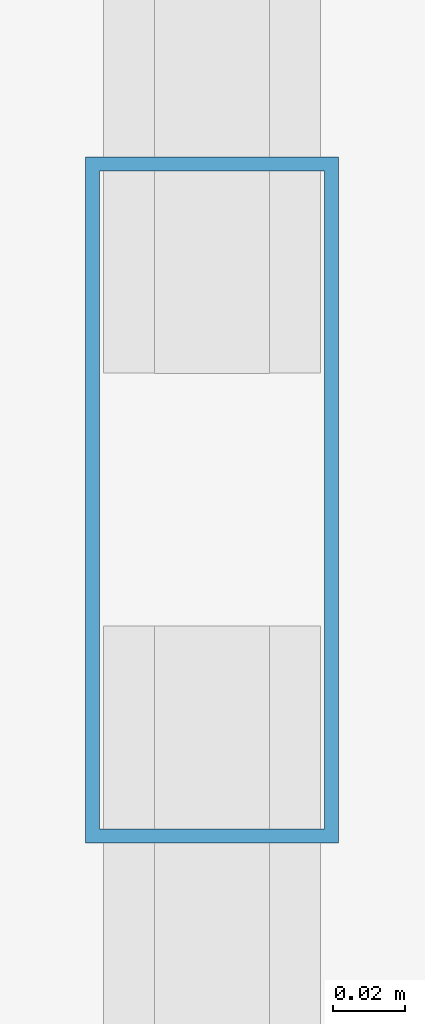
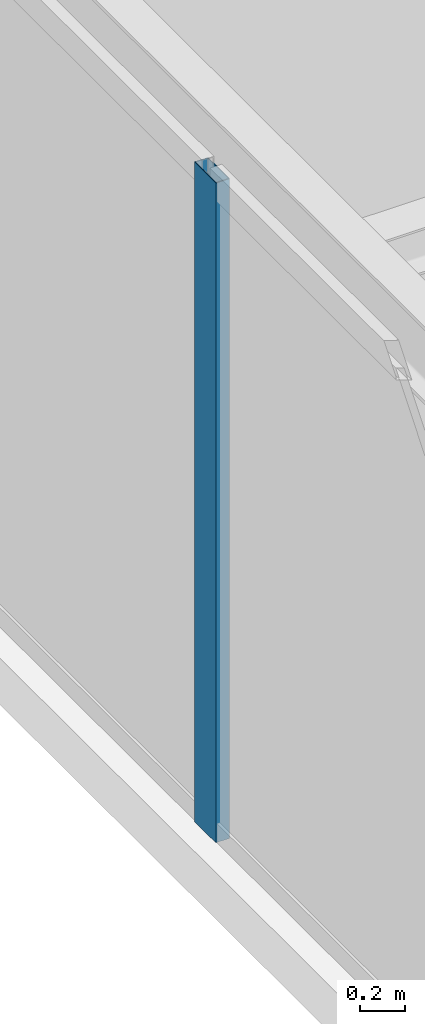
# One storey, part 10 of 37: 1 member, 1 element without a shape of its own.
"""IFC4 building model written with IfcOpenShell, lengths in metres."""

import ifcopenshell
import ifcopenshell.guid

model = None  # the IFC model being written
_history = None  # IfcOwnerHistory: only IFC2X3 demands one
_inside = {}  # id of a spatial element -> (the spatial element, [elements in it])
_under = {}  # id of a project, library or spatial element -> (it, [spatial elements below it])
_declared = {}  # id of a project -> (the project, [libraries it declares])
_typed = {}  # id of a type object -> (the type object, [elements of that type])
_made_of = {}  # id of a material, layer set ... -> (it, [elements and type objects made of it])


def new_model(schema):
    """Start an empty IFC model of exactly this schema.

    Asked for "IFC4X3", IfcOpenShell would pick the latest addendum, in which some entities
    have other attributes; the version numbers below select the first issue.
    IFC2X3 requires an IfcOwnerHistory on every rooted entity: one is made here for all.
    """
    global model, _history
    if schema == "IFC4X3":
        model = ifcopenshell.file(schema_version=(4, 3, 0, 0))
    else:
        model = ifcopenshell.file(schema=schema)
    _inside.clear()
    _under.clear()
    _declared.clear()
    _typed.clear()
    _made_of.clear()
    _history = None
    if model.schema == "IFC2X3":
        org = make("IfcOrganization", Name="unknown")
        user = make(
            "IfcPersonAndOrganization",
            ThePerson=make("IfcPerson", FamilyName="unknown"),
            TheOrganization=org,
        )
        app = make(
            "IfcApplication",
            ApplicationDeveloper=org,
            Version="unknown",
            ApplicationFullName="unknown",
            ApplicationIdentifier="unknown",
        )
        _history = make(
            "IfcOwnerHistory",
            OwningUser=user,
            OwningApplication=app,
            ChangeAction="ADDED",
            CreationDate=0,
        )
    return model


def make(cls, **values):
    """One entity of the class cls with the attributes given. An attribute that is None is left unset."""
    return model.create_entity(
        cls, **{name: value for name, value in values.items() if value is not None}
    )


def rooted(cls, **values):
    """An entity with a GlobalId (a new one), such as an element, a storey or a relation."""
    return make(cls, GlobalId=ifcopenshell.guid.new(), OwnerHistory=_history, **values)


def si_unit(unit_type, name, prefix=None):
    """IfcSIUnit, for example si_unit("LENGTHUNIT", "METRE", prefix="MILLI")."""
    return make("IfcSIUnit", UnitType=unit_type, Prefix=prefix, Name=name)


def assignment(units):
    """IfcUnitAssignment: the units of a project."""
    return None if units is None else make("IfcUnitAssignment", Units=units)


def point(xyz):
    """IfcCartesianPoint."""
    return None if xyz is None else make("IfcCartesianPoint", Coordinates=xyz)


def direction(xyz):
    """IfcDirection."""
    return None if xyz is None else make("IfcDirection", DirectionRatios=xyz)


def frame(location, z_axis=None, x_axis=None):
    """IfcAxis2Placement3D, a coordinate frame: its origin and axes. An axis left out is left unset."""
    return make(
        "IfcAxis2Placement3D",
        Location=point(location),
        Axis=direction(z_axis),
        RefDirection=direction(x_axis),
    )


def frame_2d(location, x_axis=None):
    """IfcAxis2Placement2D, a coordinate frame in the plane: its origin and x axis."""
    return make(
        "IfcAxis2Placement2D", Location=point(location), RefDirection=direction(x_axis)
    )


def origin():
    """The frame at (0, 0, 0) with its axes left unset."""
    return frame((0.0, 0.0, 0.0))


def origin_2d():
    """The frame at (0, 0) in the plane with its x axis left unset."""
    return frame_2d((0.0, 0.0))


def place(relative_to, where):
    """IfcLocalPlacement: puts the frame where relative to a parent placement (None: the world)."""
    return make(
        "IfcLocalPlacement", PlacementRelTo=relative_to, RelativePlacement=where
    )


def context(
    kind, dimensions, precision=None, world=None, true_north=None, identifier=None
):
    """IfcGeometricRepresentationContext, for example the 3D "Model" context."""
    return make(
        "IfcGeometricRepresentationContext",
        ContextIdentifier=identifier,
        ContextType=kind,
        CoordinateSpaceDimension=dimensions,
        Precision=precision,
        WorldCoordinateSystem=world,
        TrueNorth=true_north,
    )


def subcontext(parent, identifier, kind, view, scale=None):
    """IfcGeometricRepresentationSubContext, for example "Body" below "Model"."""
    return make(
        "IfcGeometricRepresentationSubContext",
        ContextIdentifier=identifier,
        ContextType=kind,
        ParentContext=parent,
        TargetScale=scale,
        TargetView=view,
    )


def project(units=None, contexts=None):
    """IfcProject with its units and contexts."""
    return rooted(
        "IfcProject",
        Name="project",
        RepresentationContexts=contexts,
        UnitsInContext=assignment(units),
    )


def spatial(cls, under=None, at=None, **own):
    """A site, building, storey or space (cls), placed at a placement, below another one or the project."""
    s = rooted(cls, ObjectPlacement=at, **own)
    if under is not None:
        _under.setdefault(under.id(), (under, []))[1].append(s)
    return s


def profile(cls, at=None, kind="AREA", **sizes):
    """A parametric profile (cls). Its sizes go by their IFC names, for example OverallWidth=200.0."""
    return make(cls, ProfileType=kind, Position=at, **sizes)


def hollow_rectangle(**sizes):
    """IfcRectangleHollowProfileDef."""
    return profile("IfcRectangleHollowProfileDef", **sizes)


def extrude(swept, where, along, depth):
    """IfcExtrudedAreaSolid: the profile swept, set in the frame where, extruded along a direction by depth."""
    return make(
        "IfcExtrudedAreaSolid",
        SweptArea=swept,
        Position=where,
        ExtrudedDirection=direction(along),
        Depth=depth,
    )


def shape(context_of_items, identifier, shape_type, items):
    """IfcShapeRepresentation: the items that make up one representation, for example the "Body"."""
    return make(
        "IfcShapeRepresentation",
        ContextOfItems=context_of_items,
        RepresentationIdentifier=identifier,
        RepresentationType=shape_type,
        Items=items,
    )


def source(mapping_origin, context_of_items, identifier, shape_type, items):
    """IfcRepresentationMap: a shape defined once, which mapped items show again and again."""
    return make(
        "IfcRepresentationMap",
        MappingOrigin=mapping_origin,
        MappedRepresentation=shape(context_of_items, identifier, shape_type, items),
    )


def transform(
    local_origin,
    x_axis=None,
    y_axis=None,
    z_axis=None,
    scale=None,
    scale2=None,
    scale3=None,
    uniform=True,
):
    """IfcCartesianTransformationOperator3D, or its non-uniform kind. x_axis, y_axis, z_axis: its Axis1, 2, 3."""
    if uniform:
        return make(
            "IfcCartesianTransformationOperator3D",
            Axis1=direction(x_axis),
            Axis2=direction(y_axis),
            LocalOrigin=point(local_origin),
            Scale=scale,
            Axis3=direction(z_axis),
        )
    return make(
        "IfcCartesianTransformationOperator3DnonUniform",
        Axis1=direction(x_axis),
        Axis2=direction(y_axis),
        LocalOrigin=point(local_origin),
        Scale=scale,
        Axis3=direction(z_axis),
        Scale2=scale2,
        Scale3=scale3,
    )


def mapped(mapping_source, mapping_target):
    """IfcMappedItem: shows the shape of a source again, moved by a transform."""
    return make(
        "IfcMappedItem", MappingSource=mapping_source, MappingTarget=mapping_target
    )


def material(Name=None, Category=None):
    """IfcMaterial."""
    return make("IfcMaterial", Name=Name, Category=Category)


def layer(
    of_material, thickness, ventilated=None, Name=None, Category=None, Priority=None
):
    """IfcMaterialLayer: one layer of a wall or slab, of a material (None: an air gap)."""
    return make(
        "IfcMaterialLayer",
        Material=of_material,
        LayerThickness=thickness,
        IsVentilated=ventilated,
        Name=Name,
        Category=Category,
        Priority=Priority,
    )


def layer_set(layers, Name=None):
    """IfcMaterialLayerSet."""
    return make("IfcMaterialLayerSet", MaterialLayers=layers, LayerSetName=Name)


def material_profile(
    of_material, cross_section, Name=None, Category=None, Priority=None
):
    """IfcMaterialProfile: a cross section and its material."""
    return make(
        "IfcMaterialProfile",
        Name=Name,
        Material=of_material,
        Profile=cross_section,
        Priority=Priority,
        Category=Category,
    )


def profile_set(profiles, Name=None, composite=None):
    """IfcMaterialProfileSet."""
    return make(
        "IfcMaterialProfileSet",
        Name=Name,
        MaterialProfiles=profiles,
        CompositeProfile=composite,
    )


def made_of(thing, what):
    """Note that an element or type object is made of a material, layer set ...; save() writes the relation."""
    if what is not None:
        _made_of.setdefault(what.id(), (what, []))[1].append(thing)
    return thing


def type_object(cls, material=None, **own):
    """A type object (cls), such as IfcWallType, which elements share."""
    return made_of(rooted(cls, **own), material)


def type_shapes(of_type, sources):
    """Give a type object the sources (RepresentationMaps) that its elements show as mapped items."""
    of_type.RepresentationMaps = sources


def element(
    cls,
    number,
    at=None,
    inside=None,
    cuts=None,
    type_object=None,
    material=None,
    context=None,
    identifier="Body",
    shape_type=None,
    held_by="IfcProductDefinitionShape",
    body=None,
    shapes=None,
    **own,
):
    """One element of the class cls, such as IfcWall. Its Tag is "e" and its number.

    at: its placement. inside: the storey or other place that contains it. cuts: it is an
    opening in that element (IfcRelVoidsElement). A single representation is given by context,
    identifier, shape_type and body (its items); several are given by shapes. held_by: the class
    of the entity that holds the representations. save() writes the other relations.
    """
    e = rooted(cls, Tag="e%d" % number, ObjectPlacement=at, **own)
    if body is not None:
        shapes = [shape(context, identifier, shape_type, body)]
    if shapes is not None:
        e.Representation = make(held_by, Representations=shapes)
    if inside is not None:
        _inside.setdefault(inside.id(), (inside, []))[1].append(e)
    if cuts is not None:
        rooted(
            "IfcRelVoidsElement", RelatingBuildingElement=cuts, RelatedOpeningElement=e
        )
    if type_object is not None:
        _typed.setdefault(type_object.id(), (type_object, []))[1].append(e)
    return made_of(e, material)


def aggregate(whole, parts):
    """IfcRelAggregates: a whole, such as a stair, and the parts it consists of."""
    return rooted("IfcRelAggregates", RelatingObject=whole, RelatedObjects=parts)


def save(model, path):
    """Write the relations noted so far, then the file.

    IfcRelAggregates (storeys below a building ...), IfcRelContainedInSpatialStructure (elements
    in a storey), IfcRelDefinesByType, IfcRelAssociatesMaterial and IfcRelDeclares: one each for
    every whole, place, type object, material and project.
    """
    for whole, parts in _under.values():
        aggregate(whole, parts)
    for where, things in _inside.values():
        rooted(
            "IfcRelContainedInSpatialStructure",
            RelatedElements=things,
            RelatingStructure=where,
        )
    for kind, things in _typed.values():
        rooted("IfcRelDefinesByType", RelatedObjects=things, RelatingType=kind)
    for what, things in _made_of.values():
        rooted("IfcRelAssociatesMaterial", RelatedObjects=things, RelatingMaterial=what)
    for by, libraries in _declared.values():
        rooted("IfcRelDeclares", RelatingContext=by, RelatedDefinitions=libraries)
    model.write(path)


model = new_model("IFC4")

# Units and contexts
model_context = context("Model", 3, precision=1e-05, world=origin(), true_north=direction((0.0, 1.0)))
body_context = subcontext(model_context, "Body", "Model", "MODEL_VIEW")
ifc_project = project(units=[si_unit("LENGTHUNIT", "METRE"), si_unit("AREAUNIT", "SQUARE_METRE"), si_unit("VOLUMEUNIT", "CUBIC_METRE"), si_unit("PLANEANGLEUNIT", "RADIAN"), si_unit("MASSUNIT", "GRAM", prefix="KILO")], contexts=[model_context])

# Site, building, storey
site_placement = place(None, origin())
site = spatial("IfcSite", under=ifc_project, at=site_placement, CompositionType="ELEMENT")
building_placement = place(site_placement, origin())
building = spatial("IfcBuilding", under=site, at=building_placement, Name="Varnel Quay Broadcast Tower", CompositionType="ELEMENT")
storey_placement = place(building_placement, frame((0.0, 0.0, 106.800048828125)))
storey = spatial("IfcBuildingStorey", under=building, at=storey_placement, Name="L25", CompositionType="ELEMENT", Elevation=106.800048828125)

# Curtain wall, member
ifc_material = material(Name="Anodised Bronze Aluminium 6063-T6", Category="aluminium")
ifc_layer = layer(ifc_material, 0.18994140625, Name="Anodised Bronze Aluminium 6063-T6")
ifc_layer_set = layer_set([ifc_layer], Name="Anodised Bronze Aluminium 6063-T6")
curtain_wall_type = type_object("IfcCurtainWallType", Name="CW_LowerTower", PredefinedType="NOTDEFINED", material=ifc_layer_set)
curtain_wall_placement = place(storey_placement, origin())
curtain_wall = element("IfcCurtainWall", 1, at=curtain_wall_placement, inside=storey, type_object=curtain_wall_type, Name="L25 West Unitised Curtain Wall", PredefinedType="NOTDEFINED")
ifc_material_profile = material_profile(ifc_material, hollow_rectangle(XDim=0.070068359375, YDim=0.18994140625, WallThickness=0.00390625, at=origin_2d()), Name="ALU70X190X4")
ifc_profile_set = profile_set([ifc_material_profile], Name="Anodised Bronze Aluminium 6063-T6")
member_type = type_object("IfcMemberType", Name="Mull_CWS-02", PredefinedType="MULLION", material=ifc_profile_set)
shared_shape = source(origin(), body_context, "Body", "SweptSolid", [
    extrude(hollow_rectangle(XDim=0.070068359375, YDim=0.18994140625, WallThickness=0.00390625, at=origin_2d()), origin(), (0.0, 0.0, 1.0), 3.550048828125),
])
type_shapes(member_type, [shared_shape])
member_placement = place(storey_placement, frame((4.64990234375, 31.39990234375, 0.0), z_axis=(0.0, 0.0, 1.0), x_axis=(-1.0, 0.0, 0.0)))
member = element("IfcMember", 2, at=member_placement, type_object=member_type, Name="CWS-02 mullion 3", PredefinedType="MULLION", context=body_context, shape_type="MappedRepresentation", body=[
    mapped(shared_shape, transform((0.0, 0.0, 0.0), x_axis=(1.0, 0.0, 0.0), y_axis=(0.0, 1.0, 0.0), z_axis=(0.0, 0.0, 1.0), scale=1.0)),
])
aggregate(curtain_wall, [member])

save(model, "model.ifc")
